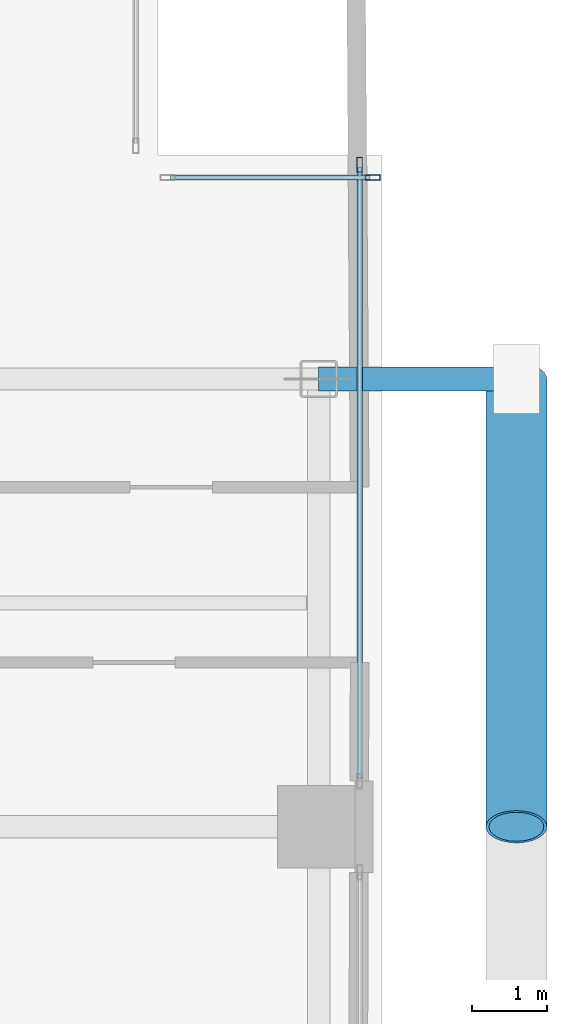
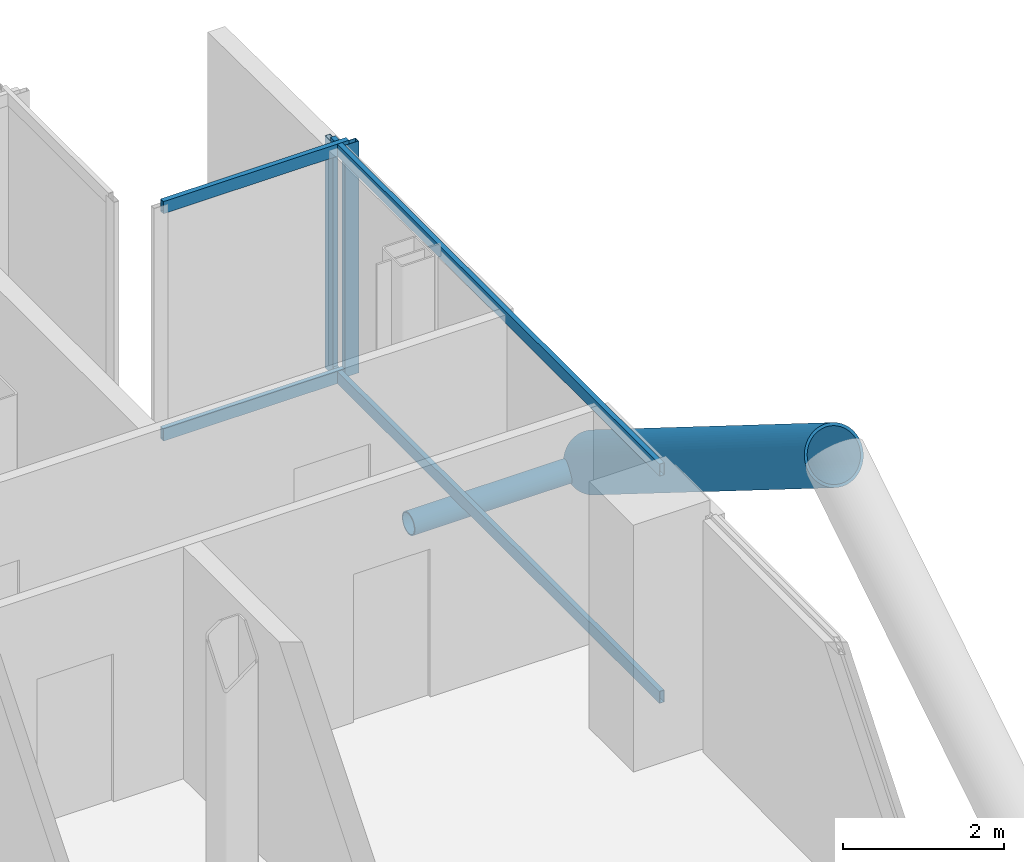
# One storey, part 14 of 28: 8 members, 2 elements without a shape of their own.
"""IFC4 building model written with IfcOpenShell, lengths in metres."""

from ifc_helpers import new_model, si_unit, direction, frame, origin, origin_2d, place, context, subcontext, project, spatial, hollow_rectangle, hollow_circle, extrude, material, layer, layer_set, material_profile, profile_set, type_object, element, aggregate, save


model = new_model("IFC4")

# Units and contexts
model_context = context("Model", 3, precision=1e-05, world=origin(), true_north=direction((0.0, 1.0)))
body_context = subcontext(model_context, "Body", "Model", "MODEL_VIEW")
ifc_project = project(units=[si_unit("LENGTHUNIT", "METRE"), si_unit("AREAUNIT", "SQUARE_METRE"), si_unit("VOLUMEUNIT", "CUBIC_METRE"), si_unit("PLANEANGLEUNIT", "RADIAN"), si_unit("MASSUNIT", "GRAM", prefix="KILO"), si_unit("THERMODYNAMICTEMPERATUREUNIT", "KELVIN"), si_unit("POWERUNIT", "WATT")], contexts=[model_context])

# Site, building, storey
site_placement = place(None, origin())
site = spatial("IfcSite", under=ifc_project, at=site_placement, CompositionType="ELEMENT")
building_placement = place(site_placement, origin())
building = spatial("IfcBuilding", under=site, at=building_placement, Name="Svarakhadi Broadcast Tower", CompositionType="ELEMENT")
storey_placement = place(building_placement, frame((0.0, 0.0, 134.39990234375)))
storey = spatial("IfcBuildingStorey", under=building, at=storey_placement, Name="L32", CompositionType="ELEMENT", Elevation=134.39990234375)

# Curtain wall, member
ifc_material_1 = material(Name="Anodised Bronze Aluminium AA 6063-T6", Category="aluminium")
ifc_layer = layer(ifc_material_1, 0.199951171875)
ifc_layer_set = layer_set([ifc_layer], Name="Anodised Bronze Aluminium AA 6063-T6")
curtain_wall_type = type_object("IfcCurtainWallType", Name="CW_Sys_03", PredefinedType="NOTDEFINED", material=ifc_layer_set)
curtain_wall_1_placement = place(storey_placement, origin())
curtain_wall_1 = element("IfcCurtainWall", 1, at=curtain_wall_1_placement, inside=storey, type_object=curtain_wall_type, Name="L32 Unitised Facade Curtain Wall 12", PredefinedType="NOTDEFINED")
ifc_material_profile_1 = material_profile(ifc_material_1, hollow_rectangle(XDim=0.074951171875, YDim=0.199951171875, WallThickness=0.005615234375, at=origin_2d()), Name="ALU MULLION 200x75x6")
ifc_profile_set_1 = profile_set([ifc_material_profile_1], Name="Anodised Bronze Aluminium AA 6063-T6")
member_type_1 = type_object("IfcMemberType", Name="CW_Sys_03_Mul", PredefinedType="MULLION", material=ifc_profile_set_1)
member_1_placement = place(storey_placement, frame((47.87255859375, 20.699951171875, 0.0), z_axis=(0.0, 0.0, 1.0), x_axis=(0.0, 1.0, 0.0)))
member_1 = element("IfcMember", 2, at=member_1_placement, type_object=member_type_1, Name="CW-03 mullion 2", PredefinedType="MULLION", context=body_context, shape_type="SweptSolid", body=[
    extrude(hollow_rectangle(XDim=0.074951171875, YDim=0.199951171875, WallThickness=0.005615234375, at=origin_2d()), origin(), (0.0, 0.0, 1.0), 3.525146484375),
])

curtain_wall_2_placement = place(storey_placement, origin())
curtain_wall_2 = element("IfcCurtainWall", 3, at=curtain_wall_2_placement, inside=storey, type_object=curtain_wall_type, Name="L32 Unitised Facade Curtain Wall 13 Bay 1", PredefinedType="NOTDEFINED")
member_2_placement = place(storey_placement, frame((47.699951171875, 20.87255859375, 0.0), z_axis=(0.0, 0.0, 1.0), x_axis=(1.0, 0.0, 0.0)))
member_2 = element("IfcMember", 4, at=member_2_placement, type_object=member_type_1, Name="CW-03 mullion 1", PredefinedType="MULLION", context=body_context, shape_type="SweptSolid", body=[
    extrude(hollow_rectangle(XDim=0.074951171875, YDim=0.199951171875, WallThickness=0.005615234375, at=origin_2d()), origin(), (0.0, 0.0, 1.0), 3.525146484375),
])

# Member
ifc_material_profile_2 = material_profile(ifc_material_1, hollow_rectangle(XDim=0.070068359375, YDim=0.18505859375, WallThickness=0.0048828125, at=origin_2d()), Name="ALU TRANSOM 185x70x5")
ifc_profile_set_2 = profile_set([ifc_material_profile_2], Name="Anodised Bronze Aluminium AA 6063-T6")
member_type_2 = type_object("IfcMemberType", Name="CW_Sys_03_Trn", PredefinedType="USERDEFINED", material=ifc_profile_set_2)
member_3_placement = place(storey_placement, frame((45.1650390625, 20.699951171875, 0.03515625), z_axis=(1.0, 0.0, 0.0), x_axis=(0.0, 1.0, 0.0)))
member_3 = element("IfcMember", 5, at=member_3_placement, type_object=member_type_2, Name="CW-03 transom 1.1", ObjectType="TRANSOM", PredefinedType="USERDEFINED", context=body_context, shape_type="SweptSolid", body=[
    extrude(hollow_rectangle(XDim=0.070068359375, YDim=0.18505859375, WallThickness=0.0048828125, at=origin_2d()), origin(), (0.0, 0.0, 1.0), 2.669921875),
])

member_4_placement = place(storey_placement, frame((45.1650390625, 20.699951171875, 3.489990234375), z_axis=(1.0, 0.0, 0.0), x_axis=(0.0, 1.0, 0.0)))
member_4 = element("IfcMember", 6, at=member_4_placement, type_object=member_type_2, Name="CW-03 transom 1.2", ObjectType="TRANSOM", PredefinedType="USERDEFINED", context=body_context, shape_type="SweptSolid", body=[
    extrude(hollow_rectangle(XDim=0.070068359375, YDim=0.18505859375, WallThickness=0.0048828125, at=origin_2d()), origin(), (0.0, 0.0, 1.0), 2.669921875),
])

aggregate(curtain_wall_1, [member_1, member_3, member_4])

member_5_placement = place(storey_placement, frame((47.699951171875, 20.8349609375, 0.03515625), z_axis=(0.0, -1.0, 0.0), x_axis=(1.0, 0.0, 0.0)))
member_5 = element("IfcMember", 7, at=member_5_placement, type_object=member_type_2, Name="CW-03 transom 1.1", ObjectType="TRANSOM", PredefinedType="USERDEFINED", context=body_context, shape_type="SweptSolid", body=[
    extrude(hollow_rectangle(XDim=0.070068359375, YDim=0.18505859375, WallThickness=0.0048828125, at=origin_2d()), origin(), (0.0, 0.0, 1.0), 8.18994140625),
])

member_6_placement = place(storey_placement, frame((47.699951171875, 20.8349609375, 3.489990234375), z_axis=(0.0, -1.0, 0.0), x_axis=(1.0, 0.0, 0.0)))
member_6 = element("IfcMember", 8, at=member_6_placement, type_object=member_type_2, Name="CW-03 transom 1.2", ObjectType="TRANSOM", PredefinedType="USERDEFINED", context=body_context, shape_type="SweptSolid", body=[
    extrude(hollow_rectangle(XDim=0.070068359375, YDim=0.18505859375, WallThickness=0.0048828125, at=origin_2d()), origin(), (0.0, 0.0, 1.0), 8.18994140625),
])

aggregate(curtain_wall_2, [member_2, member_5, member_6])

# Members
ifc_material_2 = material(Name="Steel S460ML (IS 2062 E450BR)", Category="steel")
ifc_material_profile_3 = material_profile(ifc_material_2, hollow_circle(Radius=0.406494140625, WallThickness=0.0400390625, at=origin_2d()), Name="CHS 813x40")
ifc_profile_set_3 = profile_set([ifc_material_profile_3], Name="Steel S460ML (IS 2062 E450BR)")
member_type_3 = type_object("IfcMemberType", Name="Exo_Brace_CHS813", PredefinedType="BRACE", material=ifc_profile_set_3)
member_7_placement = place(storey_placement, frame((49.800048828125, 18.0, -0.386962890625), z_axis=(0.0, -0.847998304005, 0.529998940003), x_axis=(1.0, 0.0, 0.0)))
element("IfcMember", 9, at=member_7_placement, inside=storey, type_object=member_type_3, Name="L32 Exposed Bronze Exoskeleton Diagonal E09", PredefinedType="BRACE", context=body_context, shape_type="SweptSolid", body=[
    extrude(hollow_circle(Radius=0.406494140625, WallThickness=0.0400390625, at=origin_2d()), origin(), (0.0, 0.0, 1.0), 7.075439453125),
])
ifc_material_profile_4 = material_profile(ifc_material_2, hollow_circle(Radius=0.161865234375, WallThickness=0.01611328125, at=origin_2d()), Name="CHS 323.9x16")
ifc_profile_set_4 = profile_set([ifc_material_profile_4], Name="Steel S460ML (IS 2062 E450BR)")
member_type_4 = type_object("IfcMemberType", Name="Exo_Radial_Strut_Z2", PredefinedType="STRUT", material=ifc_profile_set_4)
member_8_placement = place(storey_placement, frame((49.800048828125, 18.0, -0.386962890625), z_axis=(-1.0, 0.0, 0.0), x_axis=(0.0, -1.0, 0.0)))
element("IfcMember", 10, at=member_8_placement, inside=storey, type_object=member_type_4, Name="L32 Exoskeleton Radial Tie Strut E09", PredefinedType="STRUT", context=body_context, shape_type="SweptSolid", body=[
    extrude(hollow_circle(Radius=0.161865234375, WallThickness=0.01611328125, at=origin_2d()), origin(), (0.0, 0.0, 1.0), 2.650146484375),
])

save(model, "model.ifc")
